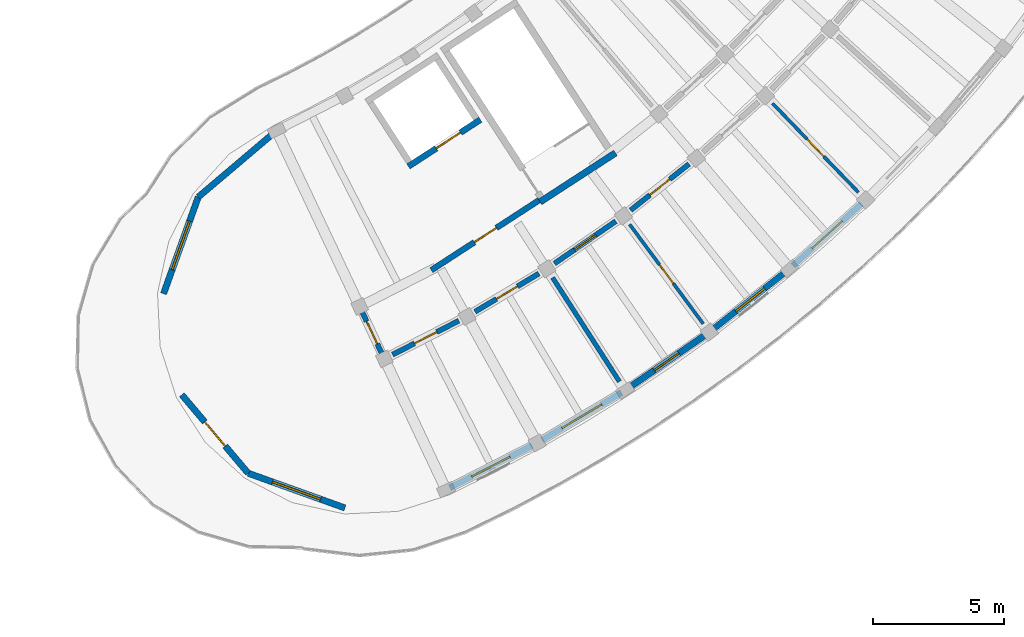
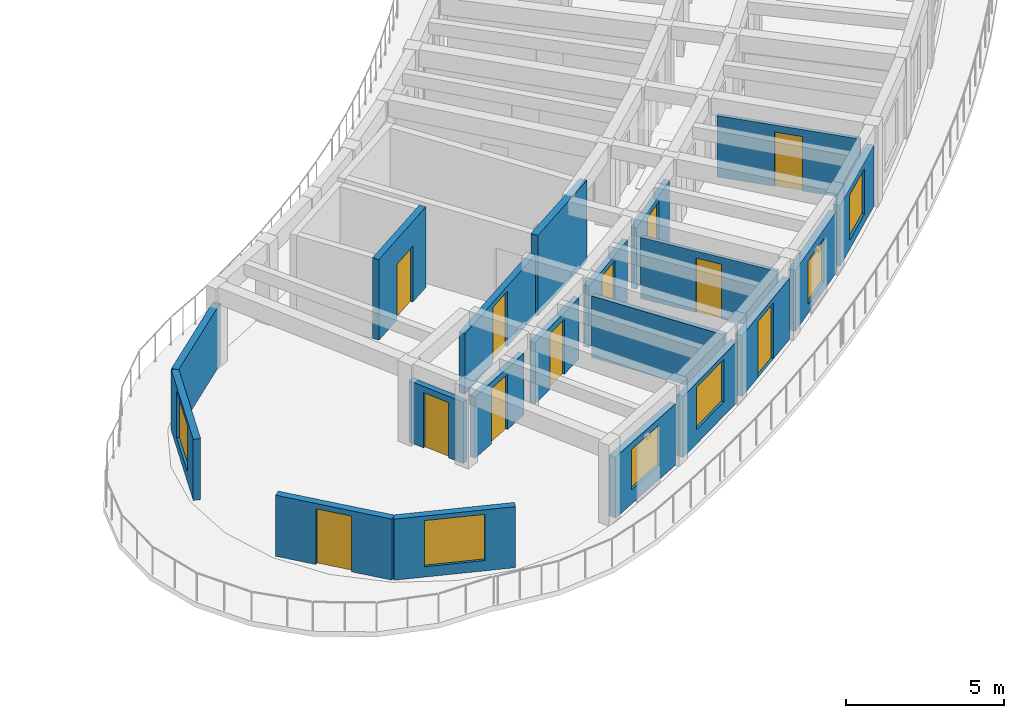
# One storey, part 31 of 56: 20 walls, 11 doors, 6 windows, 17 openings.
"""IFC4 building model written with IfcOpenShell, lengths in metres."""

import ifcopenshell
import ifcopenshell.guid

model = None  # the IFC model being written
_history = None  # IfcOwnerHistory: only IFC2X3 demands one
_inside = {}  # id of a spatial element -> (the spatial element, [elements in it])
_under = {}  # id of a project, library or spatial element -> (it, [spatial elements below it])
_declared = {}  # id of a project -> (the project, [libraries it declares])
_typed = {}  # id of a type object -> (the type object, [elements of that type])
_made_of = {}  # id of a material, layer set ... -> (it, [elements and type objects made of it])


def new_model(schema):
    """Start an empty IFC model of exactly this schema.

    Asked for "IFC4X3", IfcOpenShell would pick the latest addendum, in which some entities
    have other attributes; the version numbers below select the first issue.
    IFC2X3 requires an IfcOwnerHistory on every rooted entity: one is made here for all.
    """
    global model, _history
    if schema == "IFC4X3":
        model = ifcopenshell.file(schema_version=(4, 3, 0, 0))
    else:
        model = ifcopenshell.file(schema=schema)
    _inside.clear()
    _under.clear()
    _declared.clear()
    _typed.clear()
    _made_of.clear()
    _history = None
    if model.schema == "IFC2X3":
        org = make("IfcOrganization", Name="unknown")
        user = make(
            "IfcPersonAndOrganization",
            ThePerson=make("IfcPerson", FamilyName="unknown"),
            TheOrganization=org,
        )
        app = make(
            "IfcApplication",
            ApplicationDeveloper=org,
            Version="unknown",
            ApplicationFullName="unknown",
            ApplicationIdentifier="unknown",
        )
        _history = make(
            "IfcOwnerHistory",
            OwningUser=user,
            OwningApplication=app,
            ChangeAction="ADDED",
            CreationDate=0,
        )
    return model


def make(cls, **values):
    """One entity of the class cls with the attributes given. An attribute that is None is left unset."""
    return model.create_entity(
        cls, **{name: value for name, value in values.items() if value is not None}
    )


def rooted(cls, **values):
    """An entity with a GlobalId (a new one), such as an element, a storey or a relation."""
    return make(cls, GlobalId=ifcopenshell.guid.new(), OwnerHistory=_history, **values)


def si_unit(unit_type, name, prefix=None):
    """IfcSIUnit, for example si_unit("LENGTHUNIT", "METRE", prefix="MILLI")."""
    return make("IfcSIUnit", UnitType=unit_type, Prefix=prefix, Name=name)


def assignment(units):
    """IfcUnitAssignment: the units of a project."""
    return None if units is None else make("IfcUnitAssignment", Units=units)


def point(xyz):
    """IfcCartesianPoint."""
    return None if xyz is None else make("IfcCartesianPoint", Coordinates=xyz)


def direction(xyz):
    """IfcDirection."""
    return None if xyz is None else make("IfcDirection", DirectionRatios=xyz)


def frame(location, z_axis=None, x_axis=None):
    """IfcAxis2Placement3D, a coordinate frame: its origin and axes. An axis left out is left unset."""
    return make(
        "IfcAxis2Placement3D",
        Location=point(location),
        Axis=direction(z_axis),
        RefDirection=direction(x_axis),
    )


def frame_2d(location, x_axis=None):
    """IfcAxis2Placement2D, a coordinate frame in the plane: its origin and x axis."""
    return make(
        "IfcAxis2Placement2D", Location=point(location), RefDirection=direction(x_axis)
    )


def origin():
    """The frame at (0, 0, 0) with its axes left unset."""
    return frame((0.0, 0.0, 0.0))


def place(relative_to, where):
    """IfcLocalPlacement: puts the frame where relative to a parent placement (None: the world)."""
    return make(
        "IfcLocalPlacement", PlacementRelTo=relative_to, RelativePlacement=where
    )


def context(
    kind, dimensions, precision=None, world=None, true_north=None, identifier=None
):
    """IfcGeometricRepresentationContext, for example the 3D "Model" context."""
    return make(
        "IfcGeometricRepresentationContext",
        ContextIdentifier=identifier,
        ContextType=kind,
        CoordinateSpaceDimension=dimensions,
        Precision=precision,
        WorldCoordinateSystem=world,
        TrueNorth=true_north,
    )


def subcontext(parent, identifier, kind, view, scale=None):
    """IfcGeometricRepresentationSubContext, for example "Body" below "Model"."""
    return make(
        "IfcGeometricRepresentationSubContext",
        ContextIdentifier=identifier,
        ContextType=kind,
        ParentContext=parent,
        TargetScale=scale,
        TargetView=view,
    )


def project(units=None, contexts=None):
    """IfcProject with its units and contexts."""
    return rooted(
        "IfcProject",
        Name="project",
        RepresentationContexts=contexts,
        UnitsInContext=assignment(units),
    )


def spatial(cls, under=None, at=None, **own):
    """A site, building, storey or space (cls), placed at a placement, below another one or the project."""
    s = rooted(cls, ObjectPlacement=at, **own)
    if under is not None:
        _under.setdefault(under.id(), (under, []))[1].append(s)
    return s


def profile(cls, at=None, kind="AREA", **sizes):
    """A parametric profile (cls). Its sizes go by their IFC names, for example OverallWidth=200.0."""
    return make(cls, ProfileType=kind, Position=at, **sizes)


def rectangle(**sizes):
    """IfcRectangleProfileDef."""
    return profile("IfcRectangleProfileDef", **sizes)


def extrude(swept, where, along, depth):
    """IfcExtrudedAreaSolid: the profile swept, set in the frame where, extruded along a direction by depth."""
    return make(
        "IfcExtrudedAreaSolid",
        SweptArea=swept,
        Position=where,
        ExtrudedDirection=direction(along),
        Depth=depth,
    )


def shape(context_of_items, identifier, shape_type, items):
    """IfcShapeRepresentation: the items that make up one representation, for example the "Body"."""
    return make(
        "IfcShapeRepresentation",
        ContextOfItems=context_of_items,
        RepresentationIdentifier=identifier,
        RepresentationType=shape_type,
        Items=items,
    )


def material(Name=None, Category=None):
    """IfcMaterial."""
    return make("IfcMaterial", Name=Name, Category=Category)


def layer(
    of_material, thickness, ventilated=None, Name=None, Category=None, Priority=None
):
    """IfcMaterialLayer: one layer of a wall or slab, of a material (None: an air gap)."""
    return make(
        "IfcMaterialLayer",
        Material=of_material,
        LayerThickness=thickness,
        IsVentilated=ventilated,
        Name=Name,
        Category=Category,
        Priority=Priority,
    )


def layer_set(layers, Name=None):
    """IfcMaterialLayerSet."""
    return make("IfcMaterialLayerSet", MaterialLayers=layers, LayerSetName=Name)


def made_of(thing, what):
    """Note that an element or type object is made of a material, layer set ...; save() writes the relation."""
    if what is not None:
        _made_of.setdefault(what.id(), (what, []))[1].append(thing)
    return thing


def type_object(cls, material=None, **own):
    """A type object (cls), such as IfcWallType, which elements share."""
    return made_of(rooted(cls, **own), material)


def element(
    cls,
    number,
    at=None,
    inside=None,
    cuts=None,
    type_object=None,
    material=None,
    context=None,
    identifier="Body",
    shape_type=None,
    held_by="IfcProductDefinitionShape",
    body=None,
    shapes=None,
    **own,
):
    """One element of the class cls, such as IfcWall. Its Tag is "e" and its number.

    at: its placement. inside: the storey or other place that contains it. cuts: it is an
    opening in that element (IfcRelVoidsElement). A single representation is given by context,
    identifier, shape_type and body (its items); several are given by shapes. held_by: the class
    of the entity that holds the representations. save() writes the other relations.
    """
    e = rooted(cls, Tag="e%d" % number, ObjectPlacement=at, **own)
    if body is not None:
        shapes = [shape(context, identifier, shape_type, body)]
    if shapes is not None:
        e.Representation = make(held_by, Representations=shapes)
    if inside is not None:
        _inside.setdefault(inside.id(), (inside, []))[1].append(e)
    if cuts is not None:
        rooted(
            "IfcRelVoidsElement", RelatingBuildingElement=cuts, RelatedOpeningElement=e
        )
    if type_object is not None:
        _typed.setdefault(type_object.id(), (type_object, []))[1].append(e)
    return made_of(e, material)


def fill(opening, filler):
    """IfcRelFillsElement: the door or window that sits in an opening."""
    return rooted(
        "IfcRelFillsElement",
        RelatingOpeningElement=opening,
        RelatedBuildingElement=filler,
    )


def aggregate(whole, parts):
    """IfcRelAggregates: a whole, such as a stair, and the parts it consists of."""
    return rooted("IfcRelAggregates", RelatingObject=whole, RelatedObjects=parts)


def save(model, path):
    """Write the relations noted so far, then the file.

    IfcRelAggregates (storeys below a building ...), IfcRelContainedInSpatialStructure (elements
    in a storey), IfcRelDefinesByType, IfcRelAssociatesMaterial and IfcRelDeclares: one each for
    every whole, place, type object, material and project.
    """
    for whole, parts in _under.values():
        aggregate(whole, parts)
    for where, things in _inside.values():
        rooted(
            "IfcRelContainedInSpatialStructure",
            RelatedElements=things,
            RelatingStructure=where,
        )
    for kind, things in _typed.values():
        rooted("IfcRelDefinesByType", RelatedObjects=things, RelatingType=kind)
    for what, things in _made_of.values():
        rooted("IfcRelAssociatesMaterial", RelatedObjects=things, RelatingMaterial=what)
    for by, libraries in _declared.values():
        rooted("IfcRelDeclares", RelatingContext=by, RelatedDefinitions=libraries)
    model.write(path)


model = new_model("IFC4")

# Units and contexts
model_context = context("Model", 3, precision=1e-05, world=origin(), true_north=direction((0.0, 1.0)))
body_context = subcontext(model_context, "Body", "Model", "MODEL_VIEW")
ifc_project = project(units=[si_unit("LENGTHUNIT", "METRE"), si_unit("AREAUNIT", "SQUARE_METRE"), si_unit("VOLUMEUNIT", "CUBIC_METRE"), si_unit("PLANEANGLEUNIT", "RADIAN"), si_unit("MASSUNIT", "GRAM", prefix="KILO")], contexts=[model_context])

# Site, building, storey
site_placement = place(None, origin())
site = spatial("IfcSite", under=ifc_project, at=site_placement, CompositionType="ELEMENT")
building_placement = place(site_placement, origin())
building = spatial("IfcBuilding", under=site, at=building_placement, Name="Tanwirah Colonnade Gardens", CompositionType="ELEMENT")
storey_placement = place(building_placement, frame((0.0, 0.0, 29.0)))
storey = spatial("IfcBuildingStorey", under=building, at=storey_placement, Name="L08", CompositionType="ELEMENT", Elevation=29.0)

# Wall, opening, window
ifc_material_1 = material(Name="Limestone architectural precast concrete C40/50", Category="masonry")
ifc_layer_1 = layer(ifc_material_1, 0.239990234375)
ifc_layer_set_1 = layer_set([ifc_layer_1], Name="Limestone architectural precast concrete C40/50")
wall_type_1 = type_object("IfcWallType", Name="EW-PC240", PredefinedType="SOLIDWALL", material=ifc_layer_set_1)
wall_1_placement = place(storey_placement, frame((146.549072265625, 10.71484375, 0.0), z_axis=(0.0, 0.0, 1.0), x_axis=(0.890012358945, 0.455936400088, 0.0)))
wall_1 = element("IfcWall", 1, at=wall_1_placement, inside=storey, type_object=wall_type_1, Name="Block D L08 OUT Precast Facade Wall 3", PredefinedType="SOLIDWALL", context=body_context, shape_type="SweptSolid", body=[
    extrude(rectangle(XDim=3.5068359375, YDim=0.239990234375, at=frame_2d((1.75341796875, 0.0))), origin(), (0.0, 0.0, 1.0), 2.35498046875),
])
opening_1_placement = place(wall_1_placement, frame((0.933349609375, 0.0, 0.550048828125)))
opening_1 = element("IfcOpeningElement", 2, at=opening_1_placement, cuts=wall_1, Name="Opening WIN-U13", PredefinedType="OPENING", context=body_context, shape_type="SweptSolid", body=[
    extrude(rectangle(XDim=1.639892578125, YDim=1.56005859375, at=frame_2d((0.81982421875, 0.780029296875))), frame((0.0, 0.1298828125, 0.0), z_axis=(0.0, -1.0, 0.0), x_axis=(1.0, 0.0, 0.0)), (0.0, 0.0, 1.0), 0.260009765625),
])
ifc_material_2 = material(Name="Thermally broken bronze aluminium and solar low-E double glazing", Category="aluminium")
window_type_1 = type_object("IfcWindowType", Name="WIN-U13", PartitioningType="DOUBLE_PANEL_VERTICAL", PredefinedType="WINDOW", material=ifc_material_2)
window_1_placement = place(opening_1_placement, origin())
window_1 = element("IfcWindow", 3, at=window_1_placement, inside=storey, type_object=window_type_1, Name="Facade window D-L08-OUT-03", OverallHeight=1.56005859375, OverallWidth=1.639892578125, PartitioningType="SINGLE_PANEL", PredefinedType="WINDOW", context=body_context, shape_type="SweptSolid", body=[
    extrude(rectangle(XDim=1.639892578125, YDim=1.56005859375, at=frame_2d((0.81982421875, 0.780029296875))), frame((0.0, 0.030029296875, 0.0), z_axis=(0.0, -1.0, 0.0), x_axis=(1.0, 0.0, 0.0)), (0.0, 0.0, 1.0), 0.06005859375),
])
fill(opening_1, window_1)

wall_2_placement = place(storey_placement, frame((150.0634765625, 12.53173828125, 0.0), z_axis=(0.0, 0.0, 1.0), x_axis=(0.858272027283, 0.513195018666, 0.0)))
wall_2 = element("IfcWall", 4, at=wall_2_placement, inside=storey, type_object=wall_type_1, Name="Block D L08 OUT Precast Facade Wall 4", PredefinedType="SOLIDWALL", context=body_context, shape_type="SweptSolid", body=[
    extrude(rectangle(XDim=3.507080078125, YDim=0.239990234375, at=frame_2d((1.75341796875, 0.0))), origin(), (0.0, 0.0, 1.0), 2.35498046875),
])
opening_2_placement = place(wall_2_placement, frame((0.873291015625, 0.0, 0.550048828125)))
opening_2 = element("IfcOpeningElement", 5, at=opening_2_placement, cuts=wall_2, Name="Opening WIN-U16", PredefinedType="OPENING", context=body_context, shape_type="SweptSolid", body=[
    extrude(rectangle(XDim=1.760009765625, YDim=1.635009765625, at=frame_2d((0.8798828125, 0.8173828125))), frame((0.0, 0.1298828125, 0.0), z_axis=(0.0, -1.0, 0.0), x_axis=(1.0, 0.0, 0.0)), (0.0, 0.0, 1.0), 0.260009765625),
])
window_type_2 = type_object("IfcWindowType", Name="WIN-U16", PartitioningType="DOUBLE_PANEL_VERTICAL", PredefinedType="WINDOW", material=ifc_material_2)
window_2_placement = place(opening_2_placement, origin())
window_2 = element("IfcWindow", 6, at=window_2_placement, inside=storey, type_object=window_type_2, Name="Facade window D-L08-OUT-04", OverallHeight=1.635009765625, OverallWidth=1.760009765625, PartitioningType="SINGLE_PANEL", PredefinedType="WINDOW", context=body_context, shape_type="SweptSolid", body=[
    extrude(rectangle(XDim=1.760009765625, YDim=1.635009765625, at=frame_2d((0.8798828125, 0.8173828125))), frame((0.0, 0.030029296875, 0.0), z_axis=(0.0, -1.0, 0.0), x_axis=(1.0, 0.0, 0.0)), (0.0, 0.0, 1.0), 0.06005859375),
])
fill(opening_2, window_2)

# Wall, opening, door
wall_3_placement = place(storey_placement, frame((153.350830078125, 14.509765625, 0.0), z_axis=(0.0, 0.0, 1.0), x_axis=(0.822878299875, 0.568217655125, 0.0)))
wall_3 = element("IfcWall", 7, at=wall_3_placement, inside=storey, type_object=wall_type_1, Name="Block D L08 OUT Precast Facade Wall 5", PredefinedType="SOLIDWALL", context=body_context, shape_type="SweptSolid", body=[
    extrude(rectangle(XDim=3.5068359375, YDim=0.239990234375, at=frame_2d((1.75341796875, 0.0))), origin(), (0.0, 0.0, 1.0), 2.35498046875),
])
opening_3_placement = place(wall_3_placement, frame((1.183349609375, 0.0, 0.0)))
opening_3 = element("IfcOpeningElement", 8, at=opening_3_placement, cuts=wall_3, Name="Opening L08-ED211", PredefinedType="OPENING", context=body_context, shape_type="SweptSolid", body=[
    extrude(rectangle(XDim=1.139892578125, YDim=2.159912109375, at=frame_2d((0.56982421875, 1.080078125))), frame((0.0, 0.1298828125, 0.0), z_axis=(0.0, -1.0, 0.0), x_axis=(1.0, 0.0, 0.0)), (0.0, 0.0, 1.0), 0.260009765625),
])
ifc_material_3 = material(Name="Bronze aluminium glazed balcony door", Category="aluminium")
door_type_1 = type_object("IfcDoorType", Name="ED-BAL114", OperationType="NOTDEFINED", PredefinedType="DOOR", material=ifc_material_3)
door_1_placement = place(opening_3_placement, origin())
door_1 = element("IfcDoor", 9, at=door_1_placement, inside=storey, type_object=door_type_1, Name="Balcony glazed door L08-ED211", OperationType="SINGLE_SWING_RIGHT", OverallHeight=2.159912109375, OverallWidth=1.139892578125, PredefinedType="DOOR", context=body_context, shape_type="SweptSolid", body=[
    extrude(rectangle(XDim=1.139892578125, YDim=2.159912109375, at=frame_2d((0.56982421875, 1.080078125))), frame((0.0, 0.02490234375, 0.0), z_axis=(0.0, -1.0, 0.0), x_axis=(1.0, 0.0, 0.0)), (0.0, 0.0, 1.0), 0.050048828125),
])
fill(opening_3, door_1)

# Wall, opening, window
wall_4_placement = place(storey_placement, frame((156.59814453125, 16.77001953125, 0.0), z_axis=(0.0, 0.0, 1.0), x_axis=(0.783976646649, 0.620790316861, 0.0)))
wall_4 = element("IfcWall", 10, at=wall_4_placement, inside=storey, type_object=wall_type_1, Name="Block D L08 OUT Precast Facade Wall 6", PredefinedType="SOLIDWALL", context=body_context, shape_type="SweptSolid", body=[
    extrude(rectangle(XDim=3.5068359375, YDim=0.239990234375, at=frame_2d((1.75341796875, 0.0))), origin(), (0.0, 0.0, 1.0), 2.35498046875),
])
opening_4_placement = place(wall_4_placement, frame((1.053466796875, 0.0, 0.35009765625)))
opening_4 = element("IfcOpeningElement", 11, at=opening_4_placement, cuts=wall_4, Name="Opening WIN-T06", PredefinedType="OPENING", context=body_context, shape_type="SweptSolid", body=[
    extrude(rectangle(XDim=1.39990234375, YDim=1.64990234375, at=frame_2d((0.699951171875, 0.824951171875))), frame((0.0, 0.1298828125, 0.0), z_axis=(0.0, -1.0, 0.0), x_axis=(1.0, 0.0, 0.0)), (0.0, 0.0, 1.0), 0.260009765625),
])
window_type_3 = type_object("IfcWindowType", Name="WIN-T06", PartitioningType="DOUBLE_PANEL_VERTICAL", PredefinedType="WINDOW", material=ifc_material_2)
window_3_placement = place(opening_4_placement, origin())
window_3 = element("IfcWindow", 12, at=window_3_placement, inside=storey, type_object=window_type_3, Name="Facade window D-L08-OUT-06", OverallHeight=1.64990234375, OverallWidth=1.39990234375, PartitioningType="SINGLE_PANEL", PredefinedType="WINDOW", context=body_context, shape_type="SweptSolid", body=[
    extrude(rectangle(XDim=1.39990234375, YDim=1.64990234375, at=frame_2d((0.699951171875, 0.824951171875))), frame((0.0, 0.030029296875, 0.0), z_axis=(0.0, -1.0, 0.0), x_axis=(1.0, 0.0, 0.0)), (0.0, 0.0, 1.0), 0.06005859375),
])
fill(opening_4, window_3)

wall_5_placement = place(storey_placement, frame((159.59912109375, 19.16015625, 0.0), z_axis=(0.0, 0.0, 1.0), x_axis=(0.741654519649, 0.670782061093, 0.0)))
wall_5 = element("IfcWall", 13, at=wall_5_placement, inside=storey, type_object=wall_type_1, Name="Block D L08 OUT Precast Facade Wall 7", PredefinedType="SOLIDWALL", context=body_context, shape_type="SweptSolid", body=[
    extrude(rectangle(XDim=3.5068359375, YDim=0.239990234375, at=frame_2d((1.75341796875, 0.0))), origin(), (0.0, 0.0, 1.0), 2.35498046875),
])
opening_5_placement = place(wall_5_placement, frame((0.978515625, 0.0, 0.35009765625)))
opening_5 = element("IfcOpeningElement", 14, at=opening_5_placement, cuts=wall_5, Name="Opening WIN-T09", PredefinedType="OPENING", context=body_context, shape_type="SweptSolid", body=[
    extrude(rectangle(XDim=1.550048828125, YDim=1.75, at=frame_2d((0.77490234375, 0.875))), frame((0.0, 0.1298828125, 0.0), z_axis=(0.0, -1.0, 0.0), x_axis=(1.0, 0.0, 0.0)), (0.0, 0.0, 1.0), 0.260009765625),
])
window_type_4 = type_object("IfcWindowType", Name="WIN-T09", PartitioningType="DOUBLE_PANEL_VERTICAL", PredefinedType="WINDOW", material=ifc_material_2)
window_4_placement = place(opening_5_placement, origin())
window_4 = element("IfcWindow", 15, at=window_4_placement, inside=storey, type_object=window_type_4, Name="Facade window D-L08-OUT-07", OverallHeight=1.75, OverallWidth=1.550048828125, PartitioningType="SINGLE_PANEL", PredefinedType="WINDOW", context=body_context, shape_type="SweptSolid", body=[
    extrude(rectangle(XDim=1.550048828125, YDim=1.75, at=frame_2d((0.77490234375, 0.875))), frame((0.0, 0.030029296875, 0.0), z_axis=(0.0, -1.0, 0.0), x_axis=(1.0, 0.0, 0.0)), (0.0, 0.0, 1.0), 0.06005859375),
])
fill(opening_5, window_4)

wall_6_placement = place(storey_placement, frame((142.556396484375, 9.9443359375, 0.0), z_axis=(0.0, 0.0, 1.0), x_axis=(-0.941180917007, 0.337903065186, 0.0)))
wall_6 = element("IfcWall", 16, at=wall_6_placement, inside=storey, type_object=wall_type_1, Name="Block D L08 START Rounded End Wall 1", PredefinedType="SOLIDWALL", context=body_context, shape_type="SweptSolid", body=[
    extrude(rectangle(XDim=3.908203125, YDim=0.239990234375, at=frame_2d((1.9541015625, 0.0))), origin(), (0.0, 0.0, 1.0), 2.35498046875),
])
opening_6_placement = place(wall_6_placement, frame((0.97900390625, 0.0, 0.39990234375)))
opening_6 = element("IfcOpeningElement", 17, at=opening_6_placement, cuts=wall_6, Name="Opening WIN-END2", PredefinedType="OPENING", context=body_context, shape_type="SweptSolid", body=[
    extrude(rectangle(XDim=1.949951171875, YDim=1.780029296875, at=frame_2d((0.97509765625, 0.89013671875))), frame((0.0, 0.1298828125, 0.0), z_axis=(0.0, -1.0, 0.0), x_axis=(1.0, 0.0, 0.0)), (0.0, 0.0, 1.0), 0.260009765625),
])
window_type_5 = type_object("IfcWindowType", Name="WIN-END2", PartitioningType="TRIPLE_PANEL_VERTICAL", PredefinedType="WINDOW", material=ifc_material_2)
window_5_placement = place(opening_6_placement, origin())
window_5 = element("IfcWindow", 18, at=window_5_placement, inside=storey, type_object=window_type_5, Name="Rounded corner window D-L08-START-1", OverallHeight=1.780029296875, OverallWidth=1.949951171875, PartitioningType="SINGLE_PANEL", PredefinedType="WINDOW", context=body_context, shape_type="SweptSolid", body=[
    extrude(rectangle(XDim=1.949951171875, YDim=1.780029296875, at=frame_2d((0.97509765625, 0.89013671875))), frame((0.0, 0.030029296875, 0.0), z_axis=(0.0, -1.0, 0.0), x_axis=(1.0, 0.0, 0.0)), (0.0, 0.0, 1.0), 0.06005859375),
])
fill(opening_6, window_5)

# Wall, opening, door
wall_7_placement = place(storey_placement, frame((138.878173828125, 11.264892578125, 0.0), z_axis=(0.0, 0.0, 1.0), x_axis=(-0.646113044688, 0.763241726771, 0.0)))
wall_7 = element("IfcWall", 19, at=wall_7_placement, inside=storey, type_object=wall_type_1, Name="Block D L08 START Rounded End Wall 2", PredefinedType="SOLIDWALL", context=body_context, shape_type="SweptSolid", body=[
    extrude(rectangle(XDim=3.908203125, YDim=0.239990234375, at=frame_2d((1.9541015625, 0.0))), origin(), (0.0, 0.0, 1.0), 2.35498046875),
])
opening_7_placement = place(wall_7_placement, frame((1.35400390625, 0.0, 0.0)))
opening_7 = element("IfcOpeningElement", 20, at=opening_7_placement, cuts=wall_7, Name="Opening L08-ED213", PredefinedType="OPENING", context=body_context, shape_type="SweptSolid", body=[
    extrude(rectangle(XDim=1.199951171875, YDim=2.14990234375, at=frame_2d((0.60009765625, 1.074951171875))), frame((0.0, 0.1298828125, 0.0), z_axis=(0.0, -1.0, 0.0), x_axis=(1.0, 0.0, 0.0)), (0.0, 0.0, 1.0), 0.260009765625),
])
ifc_material_4 = material(Name="Bronze aluminium glazed terrace door", Category="aluminium")
door_type_2 = type_object("IfcDoorType", Name="ED-TER120", OperationType="NOTDEFINED", PredefinedType="DOOR", material=ifc_material_4)
door_2_placement = place(opening_7_placement, origin())
door_2 = element("IfcDoor", 21, at=door_2_placement, inside=storey, type_object=door_type_2, Name="Stepped corner terrace door L08-ED213", OperationType="SINGLE_SWING_RIGHT", OverallHeight=2.14990234375, OverallWidth=1.199951171875, PredefinedType="DOOR", context=body_context, shape_type="SweptSolid", body=[
    extrude(rectangle(XDim=1.199951171875, YDim=2.14990234375, at=frame_2d((0.60009765625, 1.074951171875))), frame((0.0, 0.02490234375, 0.0), z_axis=(0.0, -1.0, 0.0), x_axis=(1.0, 0.0, 0.0)), (0.0, 0.0, 1.0), 0.050048828125),
])
fill(opening_7, door_2)

# Wall, opening, window
wall_8_placement = place(storey_placement, frame((135.657470703125, 18.093505859375, 0.0), z_axis=(0.0, 0.0, 1.0), x_axis=(0.337903065186, 0.941180917007, 0.0)))
wall_8 = element("IfcWall", 22, at=wall_8_placement, inside=storey, type_object=wall_type_1, Name="Block D L08 START Rounded End Wall 4", PredefinedType="SOLIDWALL", context=body_context, shape_type="SweptSolid", body=[
    extrude(rectangle(XDim=3.908203125, YDim=0.239990234375, at=frame_2d((1.9541015625, 0.0))), origin(), (0.0, 0.0, 1.0), 2.35498046875),
])
opening_8_placement = place(wall_8_placement, frame((0.97900390625, 0.0, 0.39990234375)))
opening_8 = element("IfcOpeningElement", 23, at=opening_8_placement, cuts=wall_8, Name="Opening WIN-END2", PredefinedType="OPENING", context=body_context, shape_type="SweptSolid", body=[
    extrude(rectangle(XDim=1.949951171875, YDim=1.780029296875, at=frame_2d((0.97509765625, 0.89013671875))), frame((0.0, 0.1298828125, 0.0), z_axis=(0.0, -1.0, 0.0), x_axis=(1.0, 0.0, 0.0)), (0.0, 0.0, 1.0), 0.260009765625),
])
window_6_placement = place(opening_8_placement, origin())
window_6 = element("IfcWindow", 24, at=window_6_placement, inside=storey, type_object=window_type_5, Name="Rounded corner window D-L08-START-4", OverallHeight=1.780029296875, OverallWidth=1.949951171875, PartitioningType="SINGLE_PANEL", PredefinedType="WINDOW", context=body_context, shape_type="SweptSolid", body=[
    extrude(rectangle(XDim=1.949951171875, YDim=1.780029296875, at=frame_2d((0.97509765625, 0.89013671875))), frame((0.0, 0.030029296875, 0.0), z_axis=(0.0, -1.0, 0.0), x_axis=(1.0, 0.0, 0.0)), (0.0, 0.0, 1.0), 0.06005859375),
])
fill(opening_8, window_6)

# Wall
wall_9_placement = place(storey_placement, frame((136.97802734375, 21.771728515625, 0.0), z_axis=(0.0, 0.0, 1.0), x_axis=(0.763241726771, 0.646113044688, 0.0)))
element("IfcWall", 25, at=wall_9_placement, inside=storey, type_object=wall_type_1, Name="Block D L08 START Rounded End Wall 5", PredefinedType="SOLIDWALL", context=body_context, shape_type="SweptSolid", body=[
    extrude(rectangle(XDim=3.908203125, YDim=0.239990234375, at=frame_2d((1.9541015625, 0.0))), origin(), (0.0, 0.0, 1.0), 2.35498046875),
])

# Wall, opening, door
ifc_material_5 = material(Name="Precast concrete C40/50", Category="concrete")
ifc_layer_2 = layer(ifc_material_5, 0.195068359375)
ifc_layer_set_2 = layer_set([ifc_layer_2], Name="Precast concrete C40/50")
wall_type_2 = type_object("IfcWallType", Name="IW-CORR195", PredefinedType="PARTITIONING", material=ifc_layer_set_2)
wall_10_placement = place(storey_placement, frame((144.367431640625, 15.773681640625, 0.0), z_axis=(0.0, 0.0, 1.0), x_axis=(0.890030590607, 0.45590080915, 0.0)))
wall_10 = element("IfcWall", 26, at=wall_10_placement, inside=storey, type_object=wall_type_2, Name="Block D L08 OUT Corridor Wall 3", PredefinedType="PARTITIONING", context=body_context, shape_type="SweptSolid", body=[
    extrude(rectangle(XDim=2.837158203125, YDim=0.195068359375, at=frame_2d((1.41845703125, 0.0))), origin(), (0.0, 0.0, 1.0), 2.3701171875),
])
opening_9_placement = place(wall_10_placement, frame((0.943603515625, 0.0, 0.0)))
opening_9 = element("IfcOpeningElement", 27, at=opening_9_placement, cuts=wall_10, Name="Opening L08-AD1930", PredefinedType="OPENING", context=body_context, shape_type="SweptSolid", body=[
    extrude(rectangle(XDim=0.949951171875, YDim=2.1298828125, at=frame_2d((0.47509765625, 1.06494140625))), frame((0.0, 0.107421875, 0.0), z_axis=(0.0, -1.0, 0.0), x_axis=(1.0, 0.0, 0.0)), (0.0, 0.0, 1.0), 0.215087890625),
])
ifc_material_6 = material(Name="Solid oak fire-resisting apartment entrance door")
door_type_3 = type_object("IfcDoorType", Name="ID-FLT095", OperationType="NOTDEFINED", PredefinedType="DOOR", material=ifc_material_6)
door_3_placement = place(opening_9_placement, origin())
door_3 = element("IfcDoor", 28, at=door_3_placement, inside=storey, type_object=door_type_3, Name="Apartment corridor door L08-AD1930", OperationType="SINGLE_SWING_RIGHT", OverallHeight=2.1298828125, OverallWidth=0.949951171875, PredefinedType="DOOR", context=body_context, shape_type="SweptSolid", body=[
    extrude(rectangle(XDim=0.949951171875, YDim=2.1298828125, at=frame_2d((0.47509765625, 1.06494140625))), frame((0.0, 0.02490234375, 0.0), z_axis=(0.0, -1.0, 0.0), x_axis=(1.0, 0.0, 0.0)), (0.0, 0.0, 1.0), 0.050048828125),
])
fill(opening_9, door_3)

wall_11_placement = place(storey_placement, frame((147.50439453125, 17.406494140625, 0.0), z_axis=(0.0, 0.0, 1.0), x_axis=(0.858281647443, 0.51317892948, 0.0)))
wall_11 = element("IfcWall", 29, at=wall_11_placement, inside=storey, type_object=wall_type_2, Name="Block D L08 OUT Corridor Wall 4", PredefinedType="PARTITIONING", context=body_context, shape_type="SweptSolid", body=[
    extrude(rectangle(XDim=2.8369140625, YDim=0.195068359375, at=frame_2d((1.41845703125, 0.0))), origin(), (0.0, 0.0, 1.0), 2.3701171875),
])
opening_10_placement = place(wall_11_placement, frame((0.95361328125, 0.0, 0.0)))
opening_10 = element("IfcOpeningElement", 30, at=opening_10_placement, cuts=wall_11, Name="Opening L08-AD1931", PredefinedType="OPENING", context=body_context, shape_type="SweptSolid", body=[
    extrude(rectangle(XDim=0.929931640625, YDim=2.1201171875, at=frame_2d((0.46484375, 1.06005859375))), frame((0.0, 0.107421875, 0.0), z_axis=(0.0, -1.0, 0.0), x_axis=(1.0, 0.0, 0.0)), (0.0, 0.0, 1.0), 0.215087890625),
])
door_type_4 = type_object("IfcDoorType", Name="ID-FLT093", OperationType="NOTDEFINED", PredefinedType="DOOR", material=ifc_material_6)
door_4_placement = place(opening_10_placement, origin())
door_4 = element("IfcDoor", 31, at=door_4_placement, inside=storey, type_object=door_type_4, Name="Apartment corridor door L08-AD1931", OperationType="SINGLE_SWING_LEFT", OverallHeight=2.1201171875, OverallWidth=0.929931640625, PredefinedType="DOOR", context=body_context, shape_type="SweptSolid", body=[
    extrude(rectangle(XDim=0.929931640625, YDim=2.1201171875, at=frame_2d((0.46484375, 1.06005859375))), frame((0.0, 0.02490234375, 0.0), z_axis=(0.0, -1.0, 0.0), x_axis=(1.0, 0.0, 0.0)), (0.0, 0.0, 1.0), 0.050048828125),
])
fill(opening_10, door_4)

wall_12_placement = place(storey_placement, frame((150.527587890625, 19.24072265625, 0.0), z_axis=(0.0, 0.0, 1.0), x_axis=(0.822870075235, 0.568229565653, 0.0)))
wall_12 = element("IfcWall", 32, at=wall_12_placement, inside=storey, type_object=wall_type_2, Name="Block D L08 OUT Corridor Wall 5", PredefinedType="PARTITIONING", context=body_context, shape_type="SweptSolid", body=[
    extrude(rectangle(XDim=2.8369140625, YDim=0.195068359375, at=frame_2d((1.41845703125, 0.0))), origin(), (0.0, 0.0, 1.0), 2.3701171875),
])
opening_11_placement = place(wall_12_placement, frame((0.923583984375, 0.0, 0.0)))
opening_11 = element("IfcOpeningElement", 33, at=opening_11_placement, cuts=wall_12, Name="Opening L08-AD1932", PredefinedType="OPENING", context=body_context, shape_type="SweptSolid", body=[
    extrude(rectangle(XDim=0.989990234375, YDim=2.159912109375, at=frame_2d((0.4951171875, 1.080078125))), frame((0.0, 0.107421875, 0.0), z_axis=(0.0, -1.0, 0.0), x_axis=(1.0, 0.0, 0.0)), (0.0, 0.0, 1.0), 0.215087890625),
])
door_type_5 = type_object("IfcDoorType", Name="ID-FLT099", OperationType="NOTDEFINED", PredefinedType="DOOR", material=ifc_material_6)
door_5_placement = place(opening_11_placement, origin())
door_5 = element("IfcDoor", 34, at=door_5_placement, inside=storey, type_object=door_type_5, Name="Apartment corridor door L08-AD1932", OperationType="SINGLE_SWING_RIGHT", OverallHeight=2.159912109375, OverallWidth=0.989990234375, PredefinedType="DOOR", context=body_context, shape_type="SweptSolid", body=[
    extrude(rectangle(XDim=0.989990234375, YDim=2.159912109375, at=frame_2d((0.4951171875, 1.080078125))), frame((0.0, 0.02490234375, 0.0), z_axis=(0.0, -1.0, 0.0), x_axis=(1.0, 0.0, 0.0)), (0.0, 0.0, 1.0), 0.050048828125),
])
fill(opening_11, door_5)

wall_13_placement = place(storey_placement, frame((153.424560546875, 21.268798828125, 0.0), z_axis=(0.0, 0.0, 1.0), x_axis=(0.783965548427, 0.620804332201, 0.0)))
wall_13 = element("IfcWall", 35, at=wall_13_placement, inside=storey, type_object=wall_type_2, Name="Block D L08 OUT Corridor Wall 6", PredefinedType="PARTITIONING", context=body_context, shape_type="SweptSolid", body=[
    extrude(rectangle(XDim=2.8369140625, YDim=0.195068359375, at=frame_2d((1.41845703125, 0.0))), origin(), (0.0, 0.0, 1.0), 2.3701171875),
])
opening_12_placement = place(wall_13_placement, frame((0.93359375, 0.0, 0.0)))
opening_12 = element("IfcOpeningElement", 36, at=opening_12_placement, cuts=wall_13, Name="Opening L08-AD1934", PredefinedType="OPENING", context=body_context, shape_type="SweptSolid", body=[
    extrude(rectangle(XDim=0.969970703125, YDim=2.14990234375, at=frame_2d((0.48486328125, 1.074951171875))), frame((0.0, 0.107421875, 0.0), z_axis=(0.0, -1.0, 0.0), x_axis=(1.0, 0.0, 0.0)), (0.0, 0.0, 1.0), 0.215087890625),
])
door_type_6 = type_object("IfcDoorType", Name="ID-FLT097", OperationType="NOTDEFINED", PredefinedType="DOOR", material=ifc_material_6)
door_6_placement = place(opening_12_placement, origin())
door_6 = element("IfcDoor", 37, at=door_6_placement, inside=storey, type_object=door_type_6, Name="Apartment corridor door L08-AD1934", OperationType="SINGLE_SWING_LEFT", OverallHeight=2.14990234375, OverallWidth=0.969970703125, PredefinedType="DOOR", context=body_context, shape_type="SweptSolid", body=[
    extrude(rectangle(XDim=0.969970703125, YDim=2.14990234375, at=frame_2d((0.48486328125, 1.074951171875))), frame((0.0, 0.02490234375, 0.0), z_axis=(0.0, -1.0, 0.0), x_axis=(1.0, 0.0, 0.0)), (0.0, 0.0, 1.0), 0.050048828125),
])
fill(opening_12, door_6)

wall_14_placement = place(storey_placement, frame((143.138916015625, 17.558837890625, 0.0), z_axis=(0.0, 0.0, 1.0), x_axis=(0.426541520305, -0.904467982549, 0.0)))
wall_14 = element("IfcWall", 38, at=wall_14_placement, inside=storey, type_object=wall_type_2, Name="Block D L08 CS Corner Suite Corridor Wall", PredefinedType="PARTITIONING", context=body_context, shape_type="SweptSolid", body=[
    extrude(rectangle(XDim=2.10009765625, YDim=0.195068359375, at=frame_2d((1.050048828125, 0.0))), origin(), (0.0, 0.0, 1.0), 2.3701171875),
])
opening_13_placement = place(wall_14_placement, frame((0.570068359375, 0.0, 0.0)))
opening_13 = element("IfcOpeningElement", 39, at=opening_13_placement, cuts=wall_14, Name="Opening L08-CD1948", PredefinedType="OPENING", context=body_context, shape_type="SweptSolid", body=[
    extrude(rectangle(XDim=0.949951171875, YDim=2.1298828125, at=frame_2d((0.47509765625, 1.06494140625))), frame((0.0, 0.107421875, 0.0), z_axis=(0.0, -1.0, 0.0), x_axis=(1.0, 0.0, 0.0)), (0.0, 0.0, 1.0), 0.215087890625),
])
door_7_placement = place(opening_13_placement, origin())
door_7 = element("IfcDoor", 40, at=door_7_placement, inside=storey, type_object=door_type_3, Name="Corner suite entrance door L08-CD1948", OperationType="SINGLE_SWING_LEFT", OverallHeight=2.1298828125, OverallWidth=0.949951171875, PredefinedType="DOOR", context=body_context, shape_type="SweptSolid", body=[
    extrude(rectangle(XDim=0.949951171875, YDim=2.1298828125, at=frame_2d((0.47509765625, 1.06494140625))), frame((0.0, 0.02490234375, 0.0), z_axis=(0.0, -1.0, 0.0), x_axis=(1.0, 0.0, 0.0)), (0.0, 0.0, 1.0), 0.050048828125),
])
fill(opening_13, door_7)

# Wall
ifc_layer_3 = layer(ifc_material_5, 0.175048828125)
ifc_layer_set_3 = layer_set([ifc_layer_3], Name="Precast concrete C40/50")
wall_type_3 = type_object("IfcWallType", Name="IW-DEM175", PredefinedType="PARTITIONING", material=ifc_layer_set_3)
wall_15_placement = place(storey_placement, frame((150.4560546875, 18.705322265625, 0.0), z_axis=(0.0, 0.0, 1.0), x_axis=(0.540959731567, -0.84104849374, 0.0)))
element("IfcWall", 41, at=wall_15_placement, inside=storey, type_object=wall_type_3, Name="Block D L08 Radial Partition 4", PredefinedType="PARTITIONING", context=body_context, shape_type="SweptSolid", body=[
    extrude(rectangle(XDim=4.699951171875, YDim=0.175048828125, at=frame_2d((2.35009765625, 0.0))), origin(), (0.0, 0.0, 1.0), 2.3701171875),
])

# Wall, opening, door
ifc_material_7 = material(Name="Autoclaved aerated masonry blockwork", Category="masonry")
ifc_layer_4 = layer(ifc_material_7, 0.219970703125)
ifc_layer_set_4 = layer_set([ifc_layer_4], Name="Autoclaved aerated masonry blockwork")
wall_type_4 = type_object("IfcWallType", Name="IW-FFL220", PredefinedType="PARTITIONING", material=ifc_layer_set_4)
wall_16_placement = place(storey_placement, frame((149.95458984375, 21.658203125, 0.0), z_axis=(0.0, 0.0, 1.0), x_axis=(-0.838681446513, -0.544622283124, 0.0)))
wall_16 = element("IfcWall", 42, at=wall_16_placement, inside=storey, type_object=wall_type_4, Name="CORE-D1 L08 Enclosed Lobby Fire Wall", PredefinedType="PARTITIONING", context=body_context, shape_type="SweptSolid", body=[
    extrude(rectangle(XDim=4.900146484375, YDim=0.219970703125, at=frame_2d((2.4501953125, 0.0))), origin(), (0.0, 0.0, 1.0), 2.340087890625),
])
opening_14_placement = place(wall_16_placement, frame((1.949951171875, 0.0, 0.0)))
opening_14 = element("IfcOpeningElement", 43, at=opening_14_placement, cuts=wall_16, Name="Opening L08-LD188", PredefinedType="OPENING", context=body_context, shape_type="SweptSolid", body=[
    extrude(rectangle(XDim=1.0, YDim=2.14990234375, at=frame_2d((0.5, 1.074951171875))), frame((0.0, 0.119873046875, 0.0), z_axis=(0.0, -1.0, 0.0), x_axis=(1.0, 0.0, 0.0)), (0.0, 0.0, 1.0), 0.239990234375),
])
ifc_material_8 = material(Name="Acoustic fire-resisting lobby door")
door_type_7 = type_object("IfcDoorType", Name="ID-FFL100", OperationType="NOTDEFINED", PredefinedType="DOOR", material=ifc_material_8)
door_8_placement = place(opening_14_placement, origin())
door_8 = element("IfcDoor", 44, at=door_8_placement, inside=storey, type_object=door_type_7, Name="CORE-D1 L08 Lobby Fire Door L08-LD188", OperationType="SINGLE_SWING_LEFT", OverallHeight=2.14990234375, OverallWidth=1.0, PredefinedType="DOOR", context=body_context, shape_type="SweptSolid", body=[
    extrude(rectangle(XDim=1.0, YDim=2.14990234375, at=frame_2d((0.5, 1.074951171875))), frame((0.0, 0.02490234375, 0.0), z_axis=(0.0, -1.0, 0.0), x_axis=(1.0, 0.0, 0.0)), (0.0, 0.0, 1.0), 0.050048828125),
])
fill(opening_14, door_8)

ifc_material_9 = material(Name="Moisture-resistant gypsum stud partition")
ifc_layer_5 = layer(ifc_material_9, 0.125)
ifc_layer_set_5 = layer_set([ifc_layer_5], Name="Moisture-resistant gypsum stud partition")
wall_type_5 = type_object("IfcWallType", Name="IW-INT125", PredefinedType="PARTITIONING", material=ifc_layer_set_5)
wall_17_placement = place(storey_placement, frame((153.38818359375, 20.72998046875, 0.0), z_axis=(0.0, 0.0, 1.0), x_axis=(0.59482622273, -0.803854318116, 0.0)))
wall_17 = element("IfcWall", 45, at=wall_17_placement, inside=storey, type_object=wall_type_5, Name="Block D L08 Radial Partition 5", PredefinedType="PARTITIONING", context=body_context, shape_type="SweptSolid", body=[
    extrude(rectangle(XDim=4.699951171875, YDim=0.125, at=frame_2d((2.35009765625, 0.0))), origin(), (0.0, 0.0, 1.0), 2.3701171875),
])
opening_15_placement = place(wall_17_placement, frame((1.905029296875, 0.0, 0.0)))
opening_15 = element("IfcOpeningElement", 46, at=opening_15_placement, cuts=wall_17, Name="Opening L08-RD1933", PredefinedType="OPENING", context=body_context, shape_type="SweptSolid", body=[
    extrude(rectangle(XDim=0.889892578125, YDim=2.10009765625, at=frame_2d((0.44482421875, 1.050048828125))), frame((0.0, 0.072509765625, 0.0), z_axis=(0.0, -1.0, 0.0), x_axis=(1.0, 0.0, 0.0)), (0.0, 0.0, 1.0), 0.14501953125),
])
ifc_material_10 = material(Name="Painted hardwood bedroom door", Category="wood")
door_type_8 = type_object("IfcDoorType", Name="ID-RM089", OperationType="NOTDEFINED", PredefinedType="DOOR", material=ifc_material_10)
door_9_placement = place(opening_15_placement, origin())
door_9 = element("IfcDoor", 47, at=door_9_placement, inside=storey, type_object=door_type_8, Name="Internal apartment door L08-RD1933", OperationType="SINGLE_SWING_RIGHT", OverallHeight=2.10009765625, OverallWidth=0.889892578125, PredefinedType="DOOR", context=body_context, shape_type="SweptSolid", body=[
    extrude(rectangle(XDim=0.889892578125, YDim=2.10009765625, at=frame_2d((0.44482421875, 1.050048828125))), frame((0.0, 0.02490234375, 0.0), z_axis=(0.0, -1.0, 0.0), x_axis=(1.0, 0.0, 0.0)), (0.0, 0.0, 1.0), 0.050048828125),
])
fill(opening_15, door_9)

wall_18_placement = place(storey_placement, frame((158.82421875, 25.33203125, 0.0), z_axis=(0.0, 0.0, 1.0), x_axis=(0.69466218314, -0.719336118456, 0.0)))
wall_18 = element("IfcWall", 48, at=wall_18_placement, inside=storey, type_object=wall_type_5, Name="Block D L08 Radial Partition 7", PredefinedType="PARTITIONING", context=body_context, shape_type="SweptSolid", body=[
    extrude(rectangle(XDim=4.699951171875, YDim=0.125, at=frame_2d((2.35009765625, 0.0))), origin(), (0.0, 0.0, 1.0), 2.3701171875),
])
opening_16_placement = place(wall_18_placement, frame((1.89501953125, 0.0, 0.0)))
opening_16 = element("IfcOpeningElement", 49, at=opening_16_placement, cuts=wall_18, Name="Opening L08-RD1938", PredefinedType="OPENING", context=body_context, shape_type="SweptSolid", body=[
    extrude(rectangle(XDim=0.909912109375, YDim=2.10009765625, at=frame_2d((0.455078125, 1.050048828125))), frame((0.0, 0.072509765625, 0.0), z_axis=(0.0, -1.0, 0.0), x_axis=(1.0, 0.0, 0.0)), (0.0, 0.0, 1.0), 0.14501953125),
])
ifc_material_11 = material(Name="Painted hardwood internal room door", Category="wood")
door_type_9 = type_object("IfcDoorType", Name="ID-RM091", OperationType="NOTDEFINED", PredefinedType="DOOR", material=ifc_material_11)
door_10_placement = place(opening_16_placement, origin())
door_10 = element("IfcDoor", 50, at=door_10_placement, inside=storey, type_object=door_type_9, Name="Internal apartment door L08-RD1938", OperationType="SINGLE_SWING_RIGHT", OverallHeight=2.10009765625, OverallWidth=0.909912109375, PredefinedType="DOOR", context=body_context, shape_type="SweptSolid", body=[
    extrude(rectangle(XDim=0.909912109375, YDim=2.10009765625, at=frame_2d((0.455078125, 1.050048828125))), frame((0.0, 0.02490234375, 0.0), z_axis=(0.0, -1.0, 0.0), x_axis=(1.0, 0.0, 0.0)), (0.0, 0.0, 1.0), 0.050048828125),
])
fill(opening_16, door_10)

# Wall
ifc_material_12 = material(Name="Concrete C45/55", Category="concrete")
ifc_layer_6 = layer(ifc_material_12, 0.25)
ifc_layer_set_6 = layer_set([ifc_layer_6], Name="Concrete C45/55")
wall_type_6 = type_object("IfcWallType", Name="SW-CORE250", PredefinedType="SHEAR", material=ifc_layer_set_6)
wall_19_placement = place(storey_placement, frame((152.846923828125, 23.447021484375, 0.0), z_axis=(0.0, 0.0, 1.0), x_axis=(-0.838645798734, -0.544677174357, 0.0)))
element("IfcWall", 51, at=wall_19_placement, inside=storey, type_object=wall_type_6, Name="CORE-D1 L08 Stair Shaft Shear Wall NEAR", PredefinedType="SHEAR", context=body_context, shape_type="SweptSolid", body=[
    extrude(rectangle(XDim=3.419921875, YDim=0.25, at=frame_2d((1.7099609375, 0.0))), origin(), (0.0, 0.0, 1.0), 3.110107421875),
])

# Wall, opening, door
ifc_layer_7 = layer(ifc_material_12, 0.22998046875)
ifc_layer_set_7 = layer_set([ifc_layer_7], Name="Concrete C45/55")
wall_type_7 = type_object("IfcWallType", Name="SW-LIFT230", PredefinedType="SHEAR", material=ifc_layer_set_7)
wall_20_placement = place(storey_placement, frame((147.70849609375, 24.712646484375, 0.0), z_axis=(0.0, 0.0, 1.0), x_axis=(-0.838672833615, -0.544635546173, 0.0)))
wall_20 = element("IfcWall", 52, at=wall_20_placement, inside=storey, type_object=wall_type_7, Name="CORE-D1 L08 Lift Shaft Wall FRONT", PredefinedType="SHEAR", context=body_context, shape_type="SweptSolid", body=[
    extrude(rectangle(XDim=3.259765625, YDim=0.22998046875, at=frame_2d((1.6298828125, 0.0))), origin(), (0.0, 0.0, 1.0), 3.110107421875),
])
opening_17_placement = place(wall_20_placement, frame((0.89990234375, 0.0, 0.0)))
opening_17 = element("IfcOpeningElement", 53, at=opening_17_placement, cuts=wall_20, Name="Opening L08-LD-FL-D1", PredefinedType="OPENING", context=body_context, shape_type="SweptSolid", body=[
    extrude(rectangle(XDim=1.10009765625, YDim=2.14990234375, at=frame_2d((0.550048828125, 1.074951171875))), frame((0.0, 0.125, 0.0), z_axis=(0.0, -1.0, 0.0), x_axis=(1.0, 0.0, 0.0)), (0.0, 0.0, 1.0), 0.25),
])
ifc_material_13 = material(Name="Stainless steel sliding fire lift landing door", Category="steel")
door_type_10 = type_object("IfcDoorType", Name="LD-FF11", OperationType="DOUBLE_DOOR_SLIDING", PredefinedType="DOOR", material=ifc_material_13)
door_11_placement = place(opening_17_placement, origin())
door_11 = element("IfcDoor", 54, at=door_11_placement, inside=storey, type_object=door_type_10, Name="Lift FL-D1 L08 Sliding Landing Door", OperationType="DOUBLE_DOOR_SLIDING", OverallHeight=2.14990234375, OverallWidth=1.10009765625, PredefinedType="DOOR", context=body_context, shape_type="SweptSolid", body=[
    extrude(rectangle(XDim=1.10009765625, YDim=2.14990234375, at=frame_2d((0.550048828125, 1.074951171875))), frame((0.0, 0.02490234375, 0.0), z_axis=(0.0, -1.0, 0.0), x_axis=(1.0, 0.0, 0.0)), (0.0, 0.0, 1.0), 0.050048828125),
])
fill(opening_17, door_11)

save(model, "model.ifc")
